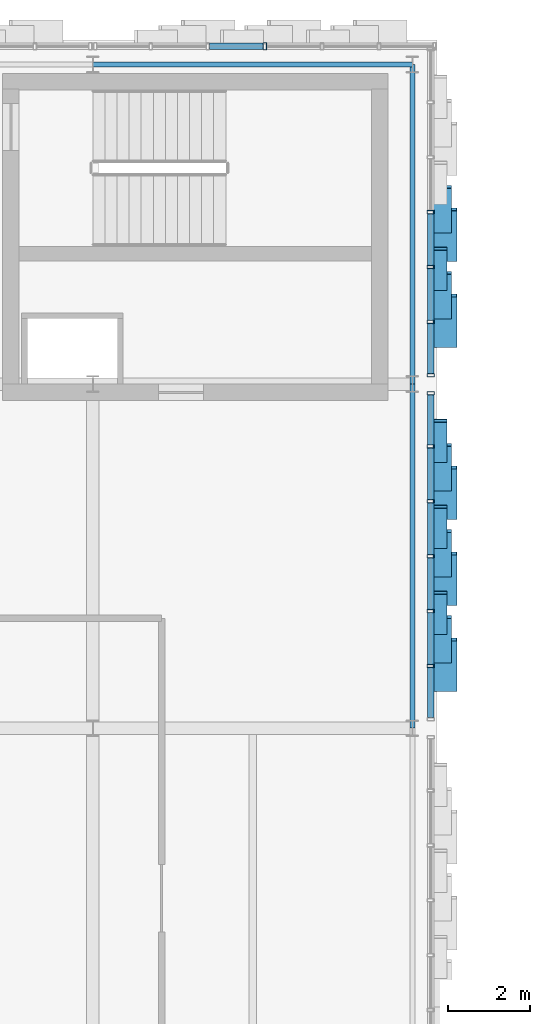
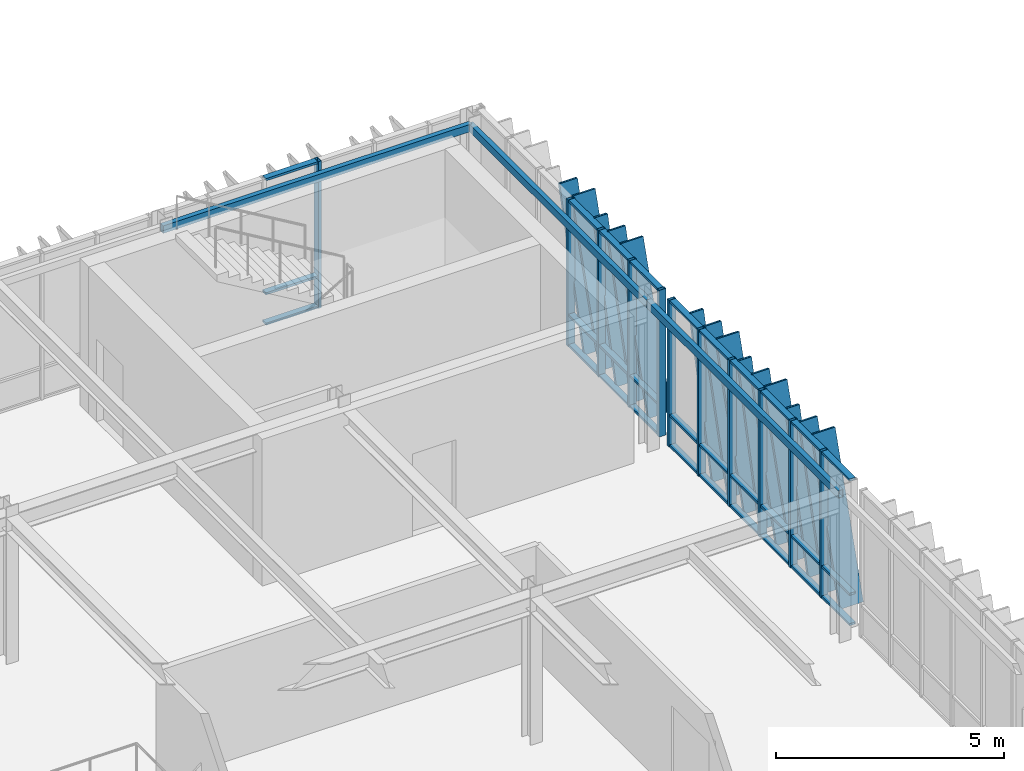
# One storey, part 69 of 127: 55 members, 3 beams, 3 elements without a shape of their own.
"""IFC4 building model written with IfcOpenShell, lengths in metres."""

from ifc_helpers import new_model, si_unit, direction, frame, origin, origin_2d, place, context, subcontext, project, spatial, hollow_rectangle, extrude, material, layer, layer_set, material_profile, profile_set, type_object, element, aggregate, save


model = new_model("IFC4")

# Units and contexts
model_context = context("Model", 3, precision=1e-05, world=origin(), true_north=direction((0.0, 1.0)))
body_context = subcontext(model_context, "Body", "Model", "MODEL_VIEW")
ifc_project = project(units=[si_unit("LENGTHUNIT", "METRE"), si_unit("AREAUNIT", "SQUARE_METRE"), si_unit("VOLUMEUNIT", "CUBIC_METRE"), si_unit("PLANEANGLEUNIT", "RADIAN"), si_unit("MASSUNIT", "GRAM", prefix="KILO")], contexts=[model_context])

# Site, building, storey
site_placement = place(None, origin())
site = spatial("IfcSite", under=ifc_project, at=site_placement, CompositionType="ELEMENT")
building_placement = place(site_placement, origin())
building = spatial("IfcBuilding", under=site, at=building_placement, Name="Zayran Congress Hotel", CompositionType="ELEMENT")
storey_placement = place(building_placement, frame((0.0, 0.0, 10.800048828125)))
storey = spatial("IfcBuildingStorey", under=building, at=storey_placement, Name="L02", CompositionType="ELEMENT", Elevation=10.800048828125)

# Beams
ifc_material_1 = material(Name="Steel S355", Category="steel")
ifc_material_profile_1 = material_profile(ifc_material_1, hollow_rectangle(XDim=0.1201171875, YDim=0.199951171875, WallThickness=0.008056640625, at=origin_2d()), Name="RHS 200x120x8")
ifc_profile_set_1 = profile_set([ifc_material_profile_1], Name="Steel S355")
beam_type = type_object("IfcBeamType", Name="TP-SP-02", PredefinedType="SPANDREL", material=ifc_profile_set_1)
beam_1_placement = place(storey_placement, frame((84.0, 117.39990234375, 3.820068359375), z_axis=(1.0, 0.0, 0.0), x_axis=(0.0, 1.0, 0.0)))
element("IfcBeam", 1, at=beam_1_placement, inside=storey, type_object=beam_type, Name="BM-V1-L02-0709", PredefinedType="SPANDREL", context=body_context, shape_type="SweptSolid", body=[
    extrude(hollow_rectangle(XDim=0.1201171875, YDim=0.199951171875, WallThickness=0.008056640625, at=origin_2d()), origin(), (0.0, 0.0, 1.0), 7.800048828125),
])
beam_2_placement = place(storey_placement, frame((91.800048828125, 101.199951171875, 3.820068359375), z_axis=(0.0, 1.0, 0.0), x_axis=(-1.0, 0.0, 0.0)))
element("IfcBeam", 2, at=beam_2_placement, inside=storey, type_object=beam_type, Name="BM-V1-L02-0755", PredefinedType="SPANDREL", context=body_context, shape_type="SweptSolid", body=[
    extrude(hollow_rectangle(XDim=0.1201171875, YDim=0.199951171875, WallThickness=0.008056640625, at=origin_2d()), origin(), (0.0, 0.0, 1.0), 8.400146484375),
])
beam_3_placement = place(storey_placement, frame((91.800048828125, 109.60009765625, 3.820068359375), z_axis=(0.0, 1.0, 0.0), x_axis=(-1.0, 0.0, 0.0)))
element("IfcBeam", 3, at=beam_3_placement, inside=storey, type_object=beam_type, Name="BM-V1-L02-0756", PredefinedType="SPANDREL", context=body_context, shape_type="SweptSolid", body=[
    extrude(hollow_rectangle(XDim=0.1201171875, YDim=0.199951171875, WallThickness=0.008056640625, at=origin_2d()), origin(), (0.0, 0.0, 1.0), 7.7998046875),
])

# Curtain wall, member
ifc_material_2 = material(Name="Anodised aluminium and low-E insulated glass", Category="aluminium")
ifc_layer_1 = layer(ifc_material_2, 0.179931640625)
ifc_layer_set_1 = layer_set([ifc_layer_1], Name="Anodised aluminium and low-E insulated glass")
curtain_wall_type_1 = type_object("IfcCurtainWallType", Name="CW-V1N-L02-CW-21-8360-3920", PredefinedType="USERDEFINED", material=ifc_layer_set_1)
curtain_wall_1_placement = place(storey_placement, origin())
curtain_wall_1 = element("IfcCurtainWall", 4, at=curtain_wall_1_placement, inside=storey, type_object=curtain_wall_type_1, Name="CW-V1N-L02-9", ObjectType="CURTAIN WALL", PredefinedType="USERDEFINED")
ifc_material_3 = material(Name="Anodised aluminium framing", Category="aluminium")
ifc_material_profile_2 = material_profile(ifc_material_3, hollow_rectangle(XDim=0.080078125, YDim=0.179931640625, WallThickness=0.0048828125, at=origin_2d()), Name="RHS 180x80x5")
ifc_profile_set_2 = profile_set([ifc_material_profile_2], Name="Anodised aluminium framing")
member_type_1 = type_object("IfcMemberType", Name="TP-CWM-01", PredefinedType="MULLION", material=ifc_profile_set_2)
member_1_placement = place(storey_placement, frame((88.199951171875, 117.85009765625, 0.0), z_axis=(0.0, 0.0, 1.0), x_axis=(1.0, 0.0, 0.0)))
member_1 = element("IfcMember", 5, at=member_1_placement, type_object=member_type_1, Name="CW-V1N-L02-9-M03", PredefinedType="MULLION", context=body_context, shape_type="SweptSolid", body=[
    extrude(hollow_rectangle(XDim=0.080078125, YDim=0.179931640625, WallThickness=0.0048828125, at=origin_2d()), origin(), (0.0, 0.0, 1.0), 3.919921875),
])

# Curtain wall, members
ifc_layer_2 = layer(ifc_material_2, 0.179931640625)
ifc_layer_set_2 = layer_set([ifc_layer_2], Name="Anodised aluminium and low-E insulated glass")
curtain_wall_type_2 = type_object("IfcCurtainWallType", Name="CW-V1E-L02-CW-41-8040-3920", PredefinedType="USERDEFINED", material=ifc_layer_set_2)
curtain_wall_2_placement = place(storey_placement, origin())
curtain_wall_2 = element("IfcCurtainWall", 6, at=curtain_wall_2_placement, inside=storey, type_object=curtain_wall_type_2, Name="CW-V1E-L02-4", ObjectType="CURTAIN WALL", PredefinedType="USERDEFINED")
member_2_placement = place(storey_placement, frame((92.25, 102.719970703125, 0.0), z_axis=(0.0, 0.0, 1.0), x_axis=(0.0, 1.0, 0.0)))
member_2 = element("IfcMember", 7, at=member_2_placement, type_object=member_type_1, Name="CW-V1E-L02-4-M01", PredefinedType="MULLION", context=body_context, shape_type="SweptSolid", body=[
    extrude(hollow_rectangle(XDim=0.080078125, YDim=0.179931640625, WallThickness=0.0048828125, at=origin_2d()), origin(), (0.0, 0.0, 1.0), 3.919921875),
])
member_3_placement = place(storey_placement, frame((92.25, 104.06005859375, 0.0), z_axis=(0.0, 0.0, 1.0), x_axis=(0.0, 1.0, 0.0)))
member_3 = element("IfcMember", 8, at=member_3_placement, type_object=member_type_1, Name="CW-V1E-L02-4-M02", PredefinedType="MULLION", context=body_context, shape_type="SweptSolid", body=[
    extrude(hollow_rectangle(XDim=0.080078125, YDim=0.179931640625, WallThickness=0.0048828125, at=origin_2d()), origin(), (0.0, 0.0, 1.0), 3.919921875),
])
member_4_placement = place(storey_placement, frame((92.25, 105.39990234375, 0.0), z_axis=(0.0, 0.0, 1.0), x_axis=(0.0, 1.0, 0.0)))
member_4 = element("IfcMember", 9, at=member_4_placement, type_object=member_type_1, Name="CW-V1E-L02-4-M03", PredefinedType="MULLION", context=body_context, shape_type="SweptSolid", body=[
    extrude(hollow_rectangle(XDim=0.080078125, YDim=0.179931640625, WallThickness=0.0048828125, at=origin_2d()), origin(), (0.0, 0.0, 1.0), 3.919921875),
])
member_5_placement = place(storey_placement, frame((92.25, 106.739990234375, 0.0), z_axis=(0.0, 0.0, 1.0), x_axis=(0.0, 1.0, 0.0)))
member_5 = element("IfcMember", 10, at=member_5_placement, type_object=member_type_1, Name="CW-V1E-L02-4-M04", PredefinedType="MULLION", context=body_context, shape_type="SweptSolid", body=[
    extrude(hollow_rectangle(XDim=0.080078125, YDim=0.179931640625, WallThickness=0.0048828125, at=origin_2d()), origin(), (0.0, 0.0, 1.0), 3.919921875),
])
member_6_placement = place(storey_placement, frame((92.25, 108.080078125, 0.0), z_axis=(0.0, 0.0, 1.0), x_axis=(0.0, 1.0, 0.0)))
member_6 = element("IfcMember", 11, at=member_6_placement, type_object=member_type_1, Name="CW-V1E-L02-4-M05", PredefinedType="MULLION", context=body_context, shape_type="SweptSolid", body=[
    extrude(hollow_rectangle(XDim=0.080078125, YDim=0.179931640625, WallThickness=0.0048828125, at=origin_2d()), origin(), (0.0, 0.0, 1.0), 3.919921875),
])
member_7_placement = place(storey_placement, frame((92.25, 109.3798828125, 0.0), z_axis=(0.0, 0.0, 1.0), x_axis=(0.0, 1.0, 0.0)))
member_7 = element("IfcMember", 12, at=member_7_placement, type_object=member_type_1, Name="CW-V1E-L02-4-M06", PredefinedType="MULLION", context=body_context, shape_type="SweptSolid", body=[
    extrude(hollow_rectangle(XDim=0.080078125, YDim=0.179931640625, WallThickness=0.0048828125, at=origin_2d()), origin(), (0.0, 0.0, 1.0), 3.919921875),
])

ifc_layer_3 = layer(ifc_material_2, 0.179931640625)
ifc_layer_set_3 = layer_set([ifc_layer_3], Name="Anodised aluminium and low-E insulated glass")
curtain_wall_type_3 = type_object("IfcCurtainWallType", Name="CW-V1E-L02-CW-42-8040-3920", PredefinedType="USERDEFINED", material=ifc_layer_set_3)
curtain_wall_3_placement = place(storey_placement, origin())
curtain_wall_3 = element("IfcCurtainWall", 13, at=curtain_wall_3_placement, inside=storey, type_object=curtain_wall_type_3, Name="CW-V1E-L02-5", ObjectType="CURTAIN WALL", PredefinedType="USERDEFINED")
member_8_placement = place(storey_placement, frame((92.25, 109.820068359375, 0.0), z_axis=(0.0, 0.0, 1.0), x_axis=(0.0, 1.0, 0.0)))
member_8 = element("IfcMember", 14, at=member_8_placement, type_object=member_type_1, Name="CW-V1E-L02-5-M00", PredefinedType="MULLION", context=body_context, shape_type="SweptSolid", body=[
    extrude(hollow_rectangle(XDim=0.080078125, YDim=0.179931640625, WallThickness=0.0048828125, at=origin_2d()), origin(), (0.0, 0.0, 1.0), 3.919921875),
])
member_9_placement = place(storey_placement, frame((92.25, 111.1201171875, 0.0), z_axis=(0.0, 0.0, 1.0), x_axis=(0.0, 1.0, 0.0)))
member_9 = element("IfcMember", 15, at=member_9_placement, type_object=member_type_1, Name="CW-V1E-L02-5-M01", PredefinedType="MULLION", context=body_context, shape_type="SweptSolid", body=[
    extrude(hollow_rectangle(XDim=0.080078125, YDim=0.179931640625, WallThickness=0.0048828125, at=origin_2d()), origin(), (0.0, 0.0, 1.0), 3.919921875),
])
member_10_placement = place(storey_placement, frame((92.25, 112.4599609375, 0.0), z_axis=(0.0, 0.0, 1.0), x_axis=(0.0, 1.0, 0.0)))
member_10 = element("IfcMember", 16, at=member_10_placement, type_object=member_type_1, Name="CW-V1E-L02-5-M02", PredefinedType="MULLION", context=body_context, shape_type="SweptSolid", body=[
    extrude(hollow_rectangle(XDim=0.080078125, YDim=0.179931640625, WallThickness=0.0048828125, at=origin_2d()), origin(), (0.0, 0.0, 1.0), 3.919921875),
])
member_11_placement = place(storey_placement, frame((92.25, 113.800048828125, 0.0), z_axis=(0.0, 0.0, 1.0), x_axis=(0.0, 1.0, 0.0)))
member_11 = element("IfcMember", 17, at=member_11_placement, type_object=member_type_1, Name="CW-V1E-L02-5-M03", PredefinedType="MULLION", context=body_context, shape_type="SweptSolid", body=[
    extrude(hollow_rectangle(XDim=0.080078125, YDim=0.179931640625, WallThickness=0.0048828125, at=origin_2d()), origin(), (0.0, 0.0, 1.0), 3.919921875),
])

# Member
ifc_material_profile_3 = material_profile(ifc_material_3, hollow_rectangle(XDim=0.06005859375, YDim=0.14990234375, WallThickness=0.00390625, at=origin_2d()), Name="RHS 150x60x4")
ifc_profile_set_3 = profile_set([ifc_material_profile_3], Name="Anodised aluminium framing")
member_type_2 = type_object("IfcMemberType", Name="TP-CWT-01", PredefinedType="USERDEFINED", material=ifc_profile_set_3)
member_12_placement = place(storey_placement, frame((88.159912109375, 117.85009765625, 0.030029296875), z_axis=(-1.0, 0.0, 0.0), x_axis=(0.0, 0.0, 1.0)))
member_12 = element("IfcMember", 18, at=member_12_placement, type_object=member_type_2, Name="CW-V1N-L02-9-T03-0", ObjectType="TRANSOM", PredefinedType="USERDEFINED", context=body_context, shape_type="SweptSolid", body=[
    extrude(hollow_rectangle(XDim=0.06005859375, YDim=0.14990234375, WallThickness=0.00390625, at=origin_2d()), origin(), (0.0, 0.0, 1.0), 1.313232421875),
])

member_13_placement = place(storey_placement, frame((88.159912109375, 117.85009765625, 0.83984375), z_axis=(-1.0, 0.0, 0.0), x_axis=(0.0, 0.0, 1.0)))
member_13 = element("IfcMember", 19, at=member_13_placement, type_object=member_type_2, Name="CW-V1N-L02-9-T03-1", ObjectType="TRANSOM", PredefinedType="USERDEFINED", context=body_context, shape_type="SweptSolid", body=[
    extrude(hollow_rectangle(XDim=0.06005859375, YDim=0.14990234375, WallThickness=0.00390625, at=origin_2d()), origin(), (0.0, 0.0, 1.0), 1.313232421875),
])

member_14_placement = place(storey_placement, frame((88.159912109375, 117.85009765625, 3.889892578125), z_axis=(-1.0, 0.0, 0.0), x_axis=(0.0, 0.0, 1.0)))
member_14 = element("IfcMember", 20, at=member_14_placement, type_object=member_type_2, Name="CW-V1N-L02-9-T03-2", ObjectType="TRANSOM", PredefinedType="USERDEFINED", context=body_context, shape_type="SweptSolid", body=[
    extrude(hollow_rectangle(XDim=0.06005859375, YDim=0.14990234375, WallThickness=0.00390625, at=origin_2d()), origin(), (0.0, 0.0, 1.0), 1.313232421875),
])

aggregate(curtain_wall_1, [member_1, member_12, member_13, member_14])

member_15_placement = place(storey_placement, frame((92.25, 101.4599609375, 0.030029296875), z_axis=(0.0, 1.0, 0.0), x_axis=(0.0, 0.0, 1.0)))
member_15 = element("IfcMember", 21, at=member_15_placement, type_object=member_type_2, Name="CW-V1E-L02-4-T00-0", ObjectType="TRANSOM", PredefinedType="USERDEFINED", context=body_context, shape_type="SweptSolid", body=[
    extrude(hollow_rectangle(XDim=0.06005859375, YDim=0.14990234375, WallThickness=0.00390625, at=origin_2d()), origin(), (0.0, 0.0, 1.0), 1.219970703125),
])

member_16_placement = place(storey_placement, frame((92.25, 101.4599609375, 0.83984375), z_axis=(0.0, 1.0, 0.0), x_axis=(0.0, 0.0, 1.0)))
member_16 = element("IfcMember", 22, at=member_16_placement, type_object=member_type_2, Name="CW-V1E-L02-4-T00-1", ObjectType="TRANSOM", PredefinedType="USERDEFINED", context=body_context, shape_type="SweptSolid", body=[
    extrude(hollow_rectangle(XDim=0.06005859375, YDim=0.14990234375, WallThickness=0.00390625, at=origin_2d()), origin(), (0.0, 0.0, 1.0), 1.219970703125),
])

member_17_placement = place(storey_placement, frame((92.25, 101.4599609375, 3.889892578125), z_axis=(0.0, 1.0, 0.0), x_axis=(0.0, 0.0, 1.0)))
member_17 = element("IfcMember", 23, at=member_17_placement, type_object=member_type_2, Name="CW-V1E-L02-4-T00-2", ObjectType="TRANSOM", PredefinedType="USERDEFINED", context=body_context, shape_type="SweptSolid", body=[
    extrude(hollow_rectangle(XDim=0.06005859375, YDim=0.14990234375, WallThickness=0.00390625, at=origin_2d()), origin(), (0.0, 0.0, 1.0), 1.219970703125),
])

member_18_placement = place(storey_placement, frame((92.25, 102.760009765625, 0.030029296875), z_axis=(0.0, 1.0, 0.0), x_axis=(0.0, 0.0, 1.0)))
member_18 = element("IfcMember", 24, at=member_18_placement, type_object=member_type_2, Name="CW-V1E-L02-4-T01-0", ObjectType="TRANSOM", PredefinedType="USERDEFINED", context=body_context, shape_type="SweptSolid", body=[
    extrude(hollow_rectangle(XDim=0.06005859375, YDim=0.14990234375, WallThickness=0.00390625, at=origin_2d()), origin(), (0.0, 0.0, 1.0), 1.260009765625),
])

member_19_placement = place(storey_placement, frame((92.25, 102.760009765625, 0.83984375), z_axis=(0.0, 1.0, 0.0), x_axis=(0.0, 0.0, 1.0)))
member_19 = element("IfcMember", 25, at=member_19_placement, type_object=member_type_2, Name="CW-V1E-L02-4-T01-1", ObjectType="TRANSOM", PredefinedType="USERDEFINED", context=body_context, shape_type="SweptSolid", body=[
    extrude(hollow_rectangle(XDim=0.06005859375, YDim=0.14990234375, WallThickness=0.00390625, at=origin_2d()), origin(), (0.0, 0.0, 1.0), 1.260009765625),
])

member_20_placement = place(storey_placement, frame((92.25, 102.760009765625, 3.889892578125), z_axis=(0.0, 1.0, 0.0), x_axis=(0.0, 0.0, 1.0)))
member_20 = element("IfcMember", 26, at=member_20_placement, type_object=member_type_2, Name="CW-V1E-L02-4-T01-2", ObjectType="TRANSOM", PredefinedType="USERDEFINED", context=body_context, shape_type="SweptSolid", body=[
    extrude(hollow_rectangle(XDim=0.06005859375, YDim=0.14990234375, WallThickness=0.00390625, at=origin_2d()), origin(), (0.0, 0.0, 1.0), 1.260009765625),
])

member_21_placement = place(storey_placement, frame((92.25, 104.10009765625, 0.030029296875), z_axis=(0.0, 1.0, 0.0), x_axis=(0.0, 0.0, 1.0)))
member_21 = element("IfcMember", 27, at=member_21_placement, type_object=member_type_2, Name="CW-V1E-L02-4-T02-0", ObjectType="TRANSOM", PredefinedType="USERDEFINED", context=body_context, shape_type="SweptSolid", body=[
    extrude(hollow_rectangle(XDim=0.06005859375, YDim=0.14990234375, WallThickness=0.00390625, at=origin_2d()), origin(), (0.0, 0.0, 1.0), 1.260009765625),
])

member_22_placement = place(storey_placement, frame((92.25, 104.10009765625, 0.83984375), z_axis=(0.0, 1.0, 0.0), x_axis=(0.0, 0.0, 1.0)))
member_22 = element("IfcMember", 28, at=member_22_placement, type_object=member_type_2, Name="CW-V1E-L02-4-T02-1", ObjectType="TRANSOM", PredefinedType="USERDEFINED", context=body_context, shape_type="SweptSolid", body=[
    extrude(hollow_rectangle(XDim=0.06005859375, YDim=0.14990234375, WallThickness=0.00390625, at=origin_2d()), origin(), (0.0, 0.0, 1.0), 1.260009765625),
])

member_23_placement = place(storey_placement, frame((92.25, 104.10009765625, 3.889892578125), z_axis=(0.0, 1.0, 0.0), x_axis=(0.0, 0.0, 1.0)))
member_23 = element("IfcMember", 29, at=member_23_placement, type_object=member_type_2, Name="CW-V1E-L02-4-T02-2", ObjectType="TRANSOM", PredefinedType="USERDEFINED", context=body_context, shape_type="SweptSolid", body=[
    extrude(hollow_rectangle(XDim=0.06005859375, YDim=0.14990234375, WallThickness=0.00390625, at=origin_2d()), origin(), (0.0, 0.0, 1.0), 1.260009765625),
])

member_24_placement = place(storey_placement, frame((92.25, 105.43994140625, 0.030029296875), z_axis=(0.0, 1.0, 0.0), x_axis=(0.0, 0.0, 1.0)))
member_24 = element("IfcMember", 30, at=member_24_placement, type_object=member_type_2, Name="CW-V1E-L02-4-T03-0", ObjectType="TRANSOM", PredefinedType="USERDEFINED", context=body_context, shape_type="SweptSolid", body=[
    extrude(hollow_rectangle(XDim=0.06005859375, YDim=0.14990234375, WallThickness=0.00390625, at=origin_2d()), origin(), (0.0, 0.0, 1.0), 1.260009765625),
])

member_25_placement = place(storey_placement, frame((92.25, 105.43994140625, 0.83984375), z_axis=(0.0, 1.0, 0.0), x_axis=(0.0, 0.0, 1.0)))
member_25 = element("IfcMember", 31, at=member_25_placement, type_object=member_type_2, Name="CW-V1E-L02-4-T03-1", ObjectType="TRANSOM", PredefinedType="USERDEFINED", context=body_context, shape_type="SweptSolid", body=[
    extrude(hollow_rectangle(XDim=0.06005859375, YDim=0.14990234375, WallThickness=0.00390625, at=origin_2d()), origin(), (0.0, 0.0, 1.0), 1.260009765625),
])

member_26_placement = place(storey_placement, frame((92.25, 105.43994140625, 3.889892578125), z_axis=(0.0, 1.0, 0.0), x_axis=(0.0, 0.0, 1.0)))
member_26 = element("IfcMember", 32, at=member_26_placement, type_object=member_type_2, Name="CW-V1E-L02-4-T03-2", ObjectType="TRANSOM", PredefinedType="USERDEFINED", context=body_context, shape_type="SweptSolid", body=[
    extrude(hollow_rectangle(XDim=0.06005859375, YDim=0.14990234375, WallThickness=0.00390625, at=origin_2d()), origin(), (0.0, 0.0, 1.0), 1.260009765625),
])

member_27_placement = place(storey_placement, frame((92.25, 106.780029296875, 0.030029296875), z_axis=(0.0, 1.0, 0.0), x_axis=(0.0, 0.0, 1.0)))
member_27 = element("IfcMember", 33, at=member_27_placement, type_object=member_type_2, Name="CW-V1E-L02-4-T04-0", ObjectType="TRANSOM", PredefinedType="USERDEFINED", context=body_context, shape_type="SweptSolid", body=[
    extrude(hollow_rectangle(XDim=0.06005859375, YDim=0.14990234375, WallThickness=0.00390625, at=origin_2d()), origin(), (0.0, 0.0, 1.0), 1.260009765625),
])

member_28_placement = place(storey_placement, frame((92.25, 106.780029296875, 0.83984375), z_axis=(0.0, 1.0, 0.0), x_axis=(0.0, 0.0, 1.0)))
member_28 = element("IfcMember", 34, at=member_28_placement, type_object=member_type_2, Name="CW-V1E-L02-4-T04-1", ObjectType="TRANSOM", PredefinedType="USERDEFINED", context=body_context, shape_type="SweptSolid", body=[
    extrude(hollow_rectangle(XDim=0.06005859375, YDim=0.14990234375, WallThickness=0.00390625, at=origin_2d()), origin(), (0.0, 0.0, 1.0), 1.260009765625),
])

member_29_placement = place(storey_placement, frame((92.25, 106.780029296875, 3.889892578125), z_axis=(0.0, 1.0, 0.0), x_axis=(0.0, 0.0, 1.0)))
member_29 = element("IfcMember", 35, at=member_29_placement, type_object=member_type_2, Name="CW-V1E-L02-4-T04-2", ObjectType="TRANSOM", PredefinedType="USERDEFINED", context=body_context, shape_type="SweptSolid", body=[
    extrude(hollow_rectangle(XDim=0.06005859375, YDim=0.14990234375, WallThickness=0.00390625, at=origin_2d()), origin(), (0.0, 0.0, 1.0), 1.260009765625),
])

member_30_placement = place(storey_placement, frame((92.25, 108.1201171875, 0.030029296875), z_axis=(0.0, 1.0, 0.0), x_axis=(0.0, 0.0, 1.0)))
member_30 = element("IfcMember", 36, at=member_30_placement, type_object=member_type_2, Name="CW-V1E-L02-4-T05-0", ObjectType="TRANSOM", PredefinedType="USERDEFINED", context=body_context, shape_type="SweptSolid", body=[
    extrude(hollow_rectangle(XDim=0.06005859375, YDim=0.14990234375, WallThickness=0.00390625, at=origin_2d()), origin(), (0.0, 0.0, 1.0), 1.219970703125),
])

member_31_placement = place(storey_placement, frame((92.25, 108.1201171875, 0.83984375), z_axis=(0.0, 1.0, 0.0), x_axis=(0.0, 0.0, 1.0)))
member_31 = element("IfcMember", 37, at=member_31_placement, type_object=member_type_2, Name="CW-V1E-L02-4-T05-1", ObjectType="TRANSOM", PredefinedType="USERDEFINED", context=body_context, shape_type="SweptSolid", body=[
    extrude(hollow_rectangle(XDim=0.06005859375, YDim=0.14990234375, WallThickness=0.00390625, at=origin_2d()), origin(), (0.0, 0.0, 1.0), 1.219970703125),
])

member_32_placement = place(storey_placement, frame((92.25, 108.1201171875, 3.889892578125), z_axis=(0.0, 1.0, 0.0), x_axis=(0.0, 0.0, 1.0)))
member_32 = element("IfcMember", 38, at=member_32_placement, type_object=member_type_2, Name="CW-V1E-L02-4-T05-2", ObjectType="TRANSOM", PredefinedType="USERDEFINED", context=body_context, shape_type="SweptSolid", body=[
    extrude(hollow_rectangle(XDim=0.06005859375, YDim=0.14990234375, WallThickness=0.00390625, at=origin_2d()), origin(), (0.0, 0.0, 1.0), 1.219970703125),
])

member_33_placement = place(storey_placement, frame((92.25, 109.860107421875, 0.030029296875), z_axis=(0.0, 1.0, 0.0), x_axis=(0.0, 0.0, 1.0)))
member_33 = element("IfcMember", 39, at=member_33_placement, type_object=member_type_2, Name="CW-V1E-L02-5-T00-0", ObjectType="TRANSOM", PredefinedType="USERDEFINED", context=body_context, shape_type="SweptSolid", body=[
    extrude(hollow_rectangle(XDim=0.06005859375, YDim=0.14990234375, WallThickness=0.00390625, at=origin_2d()), origin(), (0.0, 0.0, 1.0), 1.219970703125),
])

member_34_placement = place(storey_placement, frame((92.25, 109.860107421875, 0.83984375), z_axis=(0.0, 1.0, 0.0), x_axis=(0.0, 0.0, 1.0)))
member_34 = element("IfcMember", 40, at=member_34_placement, type_object=member_type_2, Name="CW-V1E-L02-5-T00-1", ObjectType="TRANSOM", PredefinedType="USERDEFINED", context=body_context, shape_type="SweptSolid", body=[
    extrude(hollow_rectangle(XDim=0.06005859375, YDim=0.14990234375, WallThickness=0.00390625, at=origin_2d()), origin(), (0.0, 0.0, 1.0), 1.219970703125),
])

member_35_placement = place(storey_placement, frame((92.25, 109.860107421875, 3.889892578125), z_axis=(0.0, 1.0, 0.0), x_axis=(0.0, 0.0, 1.0)))
member_35 = element("IfcMember", 41, at=member_35_placement, type_object=member_type_2, Name="CW-V1E-L02-5-T00-2", ObjectType="TRANSOM", PredefinedType="USERDEFINED", context=body_context, shape_type="SweptSolid", body=[
    extrude(hollow_rectangle(XDim=0.06005859375, YDim=0.14990234375, WallThickness=0.00390625, at=origin_2d()), origin(), (0.0, 0.0, 1.0), 1.219970703125),
])

member_36_placement = place(storey_placement, frame((92.25, 111.159912109375, 0.030029296875), z_axis=(0.0, 1.0, 0.0), x_axis=(0.0, 0.0, 1.0)))
member_36 = element("IfcMember", 42, at=member_36_placement, type_object=member_type_2, Name="CW-V1E-L02-5-T01-0", ObjectType="TRANSOM", PredefinedType="USERDEFINED", context=body_context, shape_type="SweptSolid", body=[
    extrude(hollow_rectangle(XDim=0.06005859375, YDim=0.14990234375, WallThickness=0.00390625, at=origin_2d()), origin(), (0.0, 0.0, 1.0), 1.260009765625),
])

member_37_placement = place(storey_placement, frame((92.25, 111.159912109375, 0.83984375), z_axis=(0.0, 1.0, 0.0), x_axis=(0.0, 0.0, 1.0)))
member_37 = element("IfcMember", 43, at=member_37_placement, type_object=member_type_2, Name="CW-V1E-L02-5-T01-1", ObjectType="TRANSOM", PredefinedType="USERDEFINED", context=body_context, shape_type="SweptSolid", body=[
    extrude(hollow_rectangle(XDim=0.06005859375, YDim=0.14990234375, WallThickness=0.00390625, at=origin_2d()), origin(), (0.0, 0.0, 1.0), 1.260009765625),
])

member_38_placement = place(storey_placement, frame((92.25, 111.159912109375, 3.889892578125), z_axis=(0.0, 1.0, 0.0), x_axis=(0.0, 0.0, 1.0)))
member_38 = element("IfcMember", 44, at=member_38_placement, type_object=member_type_2, Name="CW-V1E-L02-5-T01-2", ObjectType="TRANSOM", PredefinedType="USERDEFINED", context=body_context, shape_type="SweptSolid", body=[
    extrude(hollow_rectangle(XDim=0.06005859375, YDim=0.14990234375, WallThickness=0.00390625, at=origin_2d()), origin(), (0.0, 0.0, 1.0), 1.260009765625),
])

member_39_placement = place(storey_placement, frame((92.25, 112.5, 0.030029296875), z_axis=(0.0, 1.0, 0.0), x_axis=(0.0, 0.0, 1.0)))
member_39 = element("IfcMember", 45, at=member_39_placement, type_object=member_type_2, Name="CW-V1E-L02-5-T02-0", ObjectType="TRANSOM", PredefinedType="USERDEFINED", context=body_context, shape_type="SweptSolid", body=[
    extrude(hollow_rectangle(XDim=0.06005859375, YDim=0.14990234375, WallThickness=0.00390625, at=origin_2d()), origin(), (0.0, 0.0, 1.0), 1.260009765625),
])

member_40_placement = place(storey_placement, frame((92.25, 112.5, 0.83984375), z_axis=(0.0, 1.0, 0.0), x_axis=(0.0, 0.0, 1.0)))
member_40 = element("IfcMember", 46, at=member_40_placement, type_object=member_type_2, Name="CW-V1E-L02-5-T02-1", ObjectType="TRANSOM", PredefinedType="USERDEFINED", context=body_context, shape_type="SweptSolid", body=[
    extrude(hollow_rectangle(XDim=0.06005859375, YDim=0.14990234375, WallThickness=0.00390625, at=origin_2d()), origin(), (0.0, 0.0, 1.0), 1.260009765625),
])

member_41_placement = place(storey_placement, frame((92.25, 112.5, 3.889892578125), z_axis=(0.0, 1.0, 0.0), x_axis=(0.0, 0.0, 1.0)))
member_41 = element("IfcMember", 47, at=member_41_placement, type_object=member_type_2, Name="CW-V1E-L02-5-T02-2", ObjectType="TRANSOM", PredefinedType="USERDEFINED", context=body_context, shape_type="SweptSolid", body=[
    extrude(hollow_rectangle(XDim=0.06005859375, YDim=0.14990234375, WallThickness=0.00390625, at=origin_2d()), origin(), (0.0, 0.0, 1.0), 1.260009765625),
])

ifc_material_4 = material(Name="Warm bronze anodised aluminium", Category="aluminium")
ifc_material_profile_4 = material_profile(ifc_material_4, hollow_rectangle(XDim=0.080078125, YDim=0.580078125, WallThickness=0.006103515625, at=origin_2d()), Name="RHS 580x80x6")
ifc_profile_set_4 = profile_set([ifc_material_profile_4], Name="Warm bronze anodised aluminium")
member_type_3 = type_object("IfcMemberType", Name="TP-RFN-01", PredefinedType="MULLION", material=ifc_profile_set_4)
member_42_placement = place(storey_placement, frame((92.60009765625, 102.1298828125, 0.0), z_axis=(0.0, 0.300736197829, 0.953707365661), x_axis=(0.0, -0.953707365661, 0.300736197829)))
member_42 = element("IfcMember", 48, at=member_42_placement, type_object=member_type_3, Name="Slanting Reed Mullion CW-41-01", PredefinedType="MULLION", context=body_context, shape_type="SweptSolid", body=[
    extrude(hollow_rectangle(XDim=0.080078125, YDim=0.580078125, WallThickness=0.006103515625, at=origin_2d()), origin(), (0.0, 0.0, 1.0), 4.110107421875),
])

member_43_placement = place(storey_placement, frame((92.60009765625, 104.22998046875, 0.0), z_axis=(0.0, 0.300736197829, 0.953707365661), x_axis=(0.0, -0.953707365661, 0.300736197829)))
member_43 = element("IfcMember", 49, at=member_43_placement, type_object=member_type_3, Name="Slanting Reed Mullion CW-41-04", PredefinedType="MULLION", context=body_context, shape_type="SweptSolid", body=[
    extrude(hollow_rectangle(XDim=0.080078125, YDim=0.580078125, WallThickness=0.006103515625, at=origin_2d()), origin(), (0.0, 0.0, 1.0), 4.110107421875),
])

member_44_placement = place(storey_placement, frame((92.60009765625, 106.330078125, 0.0), z_axis=(0.0, 0.30068216973, 0.953724400866), x_axis=(0.0, -0.953724400866, 0.30068216973)))
member_44 = element("IfcMember", 50, at=member_44_placement, type_object=member_type_3, Name="Slanting Reed Mullion CW-41-07", PredefinedType="MULLION", context=body_context, shape_type="SweptSolid", body=[
    extrude(hollow_rectangle(XDim=0.080078125, YDim=0.580078125, WallThickness=0.006103515625, at=origin_2d()), origin(), (0.0, 0.0, 1.0), 4.110107421875),
])

member_45_placement = place(storey_placement, frame((92.60009765625, 110.530029296875, 0.0), z_axis=(0.0, 0.300736197829, 0.953707365661), x_axis=(0.0, -0.953707365661, 0.300736197829)))
member_45 = element("IfcMember", 51, at=member_45_placement, type_object=member_type_3, Name="Slanting Reed Mullion CW-42-01", PredefinedType="MULLION", context=body_context, shape_type="SweptSolid", body=[
    extrude(hollow_rectangle(XDim=0.080078125, YDim=0.580078125, WallThickness=0.006103515625, at=origin_2d()), origin(), (0.0, 0.0, 1.0), 4.110107421875),
])

member_46_placement = place(storey_placement, frame((92.60009765625, 112.6298828125, 0.0), z_axis=(0.0, 0.300736197829, 0.953707365661), x_axis=(0.0, -0.953707365661, 0.300736197829)))
member_46 = element("IfcMember", 52, at=member_46_placement, type_object=member_type_3, Name="Slanting Reed Mullion CW-42-04", PredefinedType="MULLION", context=body_context, shape_type="SweptSolid", body=[
    extrude(hollow_rectangle(XDim=0.080078125, YDim=0.580078125, WallThickness=0.006103515625, at=origin_2d()), origin(), (0.0, 0.0, 1.0), 4.110107421875),
])

ifc_material_profile_5 = material_profile(ifc_material_4, hollow_rectangle(XDim=0.080078125, YDim=0.449951171875, WallThickness=0.006103515625, at=origin_2d()), Name="RHS 450x80x6")
ifc_profile_set_5 = profile_set([ifc_material_profile_5], Name="Warm bronze anodised aluminium")
member_type_4 = type_object("IfcMemberType", Name="TP-RFN-02", PredefinedType="MULLION", material=ifc_profile_set_5)
member_47_placement = place(storey_placement, frame((92.534912109375, 102.830078125, 0.0), z_axis=(0.0, 0.26719808883, 0.963641624944), x_axis=(0.0, -0.963641624944, 0.26719808883)))
member_47 = element("IfcMember", 53, at=member_47_placement, type_object=member_type_4, Name="Slanting Reed Mullion CW-41-02", PredefinedType="MULLION", context=body_context, shape_type="SweptSolid", body=[
    extrude(hollow_rectangle(XDim=0.080078125, YDim=0.449951171875, WallThickness=0.006103515625, at=origin_2d()), origin(), (0.0, 0.0, 1.0), 4.06787109375),
])

member_48_placement = place(storey_placement, frame((92.534912109375, 104.929931640625, 0.0), z_axis=(0.0, 0.267253820088, 0.963626170072), x_axis=(0.0, -0.963626170072, 0.267253820088)))
member_48 = element("IfcMember", 54, at=member_48_placement, type_object=member_type_4, Name="Slanting Reed Mullion CW-41-05", PredefinedType="MULLION", context=body_context, shape_type="SweptSolid", body=[
    extrude(hollow_rectangle(XDim=0.080078125, YDim=0.449951171875, WallThickness=0.006103515625, at=origin_2d()), origin(), (0.0, 0.0, 1.0), 4.06787109375),
])

member_49_placement = place(storey_placement, frame((92.534912109375, 107.030029296875, 0.0), z_axis=(0.0, 0.267253820088, 0.963626170072), x_axis=(0.0, -0.963626170072, 0.267253820088)))
member_49 = element("IfcMember", 55, at=member_49_placement, type_object=member_type_4, Name="Slanting Reed Mullion CW-41-08", PredefinedType="MULLION", context=body_context, shape_type="SweptSolid", body=[
    extrude(hollow_rectangle(XDim=0.080078125, YDim=0.449951171875, WallThickness=0.006103515625, at=origin_2d()), origin(), (0.0, 0.0, 1.0), 4.06787109375),
])

member_50_placement = place(storey_placement, frame((92.534912109375, 111.22998046875, 0.0), z_axis=(0.0, 0.267253820088, 0.963626170072), x_axis=(0.0, -0.963626170072, 0.267253820088)))
member_50 = element("IfcMember", 56, at=member_50_placement, type_object=member_type_4, Name="Slanting Reed Mullion CW-42-02", PredefinedType="MULLION", context=body_context, shape_type="SweptSolid", body=[
    extrude(hollow_rectangle(XDim=0.080078125, YDim=0.449951171875, WallThickness=0.006103515625, at=origin_2d()), origin(), (0.0, 0.0, 1.0), 4.06787109375),
])

member_51_placement = place(storey_placement, frame((92.534912109375, 113.330078125, 0.0), z_axis=(0.0, 0.26719808883, 0.963641624944), x_axis=(0.0, -0.963641624944, 0.26719808883)))
member_51 = element("IfcMember", 57, at=member_51_placement, type_object=member_type_4, Name="Slanting Reed Mullion CW-42-05", PredefinedType="MULLION", context=body_context, shape_type="SweptSolid", body=[
    extrude(hollow_rectangle(XDim=0.080078125, YDim=0.449951171875, WallThickness=0.006103515625, at=origin_2d()), origin(), (0.0, 0.0, 1.0), 4.06787109375),
])

ifc_material_profile_6 = material_profile(ifc_material_4, hollow_rectangle(XDim=0.080078125, YDim=0.340087890625, WallThickness=0.006103515625, at=origin_2d()), Name="RHS 340x80x6")
ifc_profile_set_6 = profile_set([ifc_material_profile_6], Name="Warm bronze anodised aluminium")
member_type_5 = type_object("IfcMemberType", Name="TP-RFN-03", PredefinedType="MULLION", material=ifc_profile_set_6)
member_52_placement = place(storey_placement, frame((92.47998046875, 103.530029296875, 0.0), z_axis=(0.0, 0.241909924035, 0.970298711044), x_axis=(0.0, -0.970298711044, 0.241909924035)))
member_52 = element("IfcMember", 58, at=member_52_placement, type_object=member_type_5, Name="Slanting Reed Mullion CW-41-03", PredefinedType="MULLION", context=body_context, shape_type="SweptSolid", body=[
    extrude(hollow_rectangle(XDim=0.080078125, YDim=0.340087890625, WallThickness=0.006103515625, at=origin_2d()), origin(), (0.0, 0.0, 1.0), 4.039794921875),
])

member_53_placement = place(storey_placement, frame((92.47998046875, 105.6298828125, 0.0), z_axis=(0.0, 0.24196681843, 0.970284524652), x_axis=(0.0, -0.970284524652, 0.24196681843)))
member_53 = element("IfcMember", 59, at=member_53_placement, type_object=member_type_5, Name="Slanting Reed Mullion CW-41-06", PredefinedType="MULLION", context=body_context, shape_type="SweptSolid", body=[
    extrude(hollow_rectangle(XDim=0.080078125, YDim=0.340087890625, WallThickness=0.006103515625, at=origin_2d()), origin(), (0.0, 0.0, 1.0), 4.0400390625),
])

member_54_placement = place(storey_placement, frame((92.47998046875, 107.72998046875, 0.0), z_axis=(0.0, 0.24196681843, 0.970284524652), x_axis=(0.0, -0.970284524652, 0.24196681843)))
member_54 = element("IfcMember", 60, at=member_54_placement, type_object=member_type_5, Name="Slanting Reed Mullion CW-41-09", PredefinedType="MULLION", context=body_context, shape_type="SweptSolid", body=[
    extrude(hollow_rectangle(XDim=0.080078125, YDim=0.340087890625, WallThickness=0.006103515625, at=origin_2d()), origin(), (0.0, 0.0, 1.0), 4.0400390625),
])

aggregate(curtain_wall_2, [member_2, member_3, member_4, member_5, member_6, member_7, member_15, member_16, member_17, member_18, member_19, member_20, member_21, member_22, member_23, member_24, member_25, member_26, member_27, member_28, member_29, member_30, member_31, member_32, member_42, member_47, member_52, member_43, member_48, member_53, member_44, member_49, member_54])

member_55_placement = place(storey_placement, frame((92.47998046875, 111.929931640625, 0.0), z_axis=(0.0, 0.24196681843, 0.970284524652), x_axis=(0.0, -0.970284524652, 0.24196681843)))
member_55 = element("IfcMember", 61, at=member_55_placement, type_object=member_type_5, Name="Slanting Reed Mullion CW-42-03", PredefinedType="MULLION", context=body_context, shape_type="SweptSolid", body=[
    extrude(hollow_rectangle(XDim=0.080078125, YDim=0.340087890625, WallThickness=0.006103515625, at=origin_2d()), origin(), (0.0, 0.0, 1.0), 4.0400390625),
])

aggregate(curtain_wall_3, [member_8, member_9, member_10, member_11, member_33, member_34, member_35, member_36, member_37, member_38, member_39, member_40, member_41, member_45, member_50, member_55, member_46, member_51])

save(model, "model.ifc")
